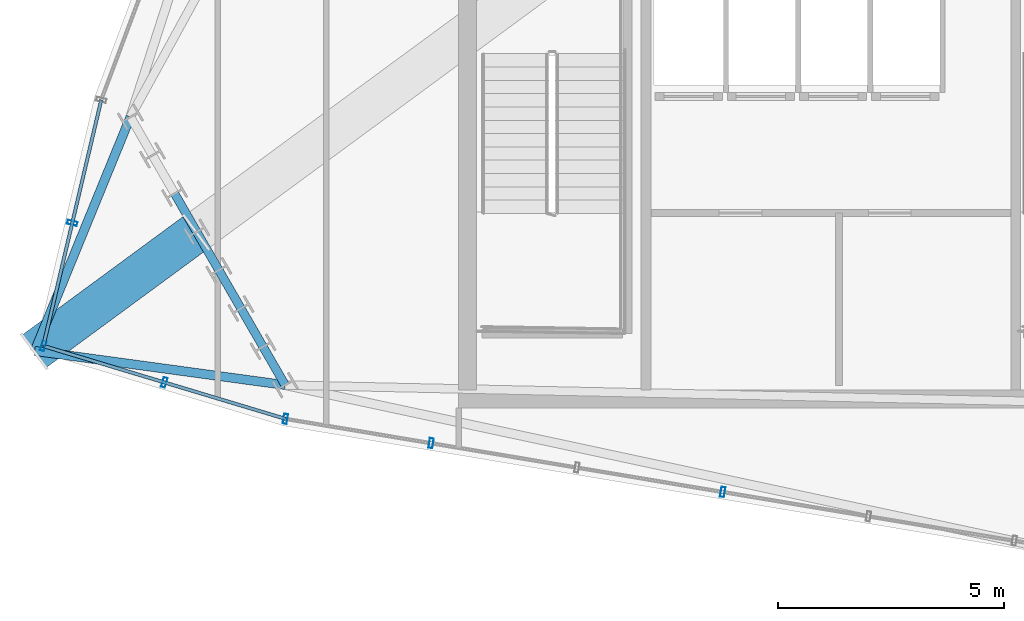
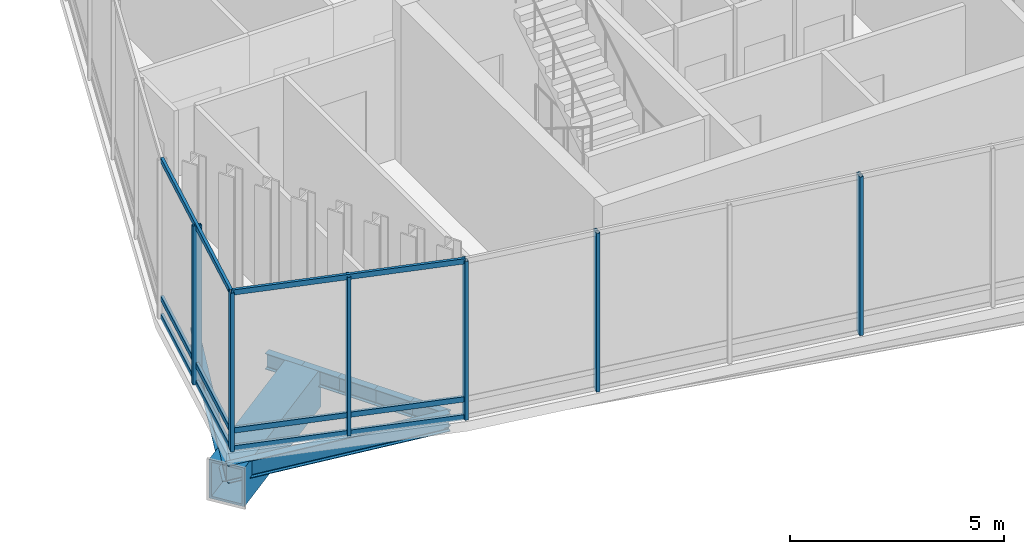
# One storey, part 2 of 29: 12 members, 8 beams, 3 elements without a shape of their own.
"""IFC4 building model written with IfcOpenShell, lengths in metres."""

from ifc_helpers import new_model, si_unit, direction, frame, origin, origin_2d, place, context, subcontext, project, spatial, hollow_rectangle, i_section, extrude, material, layer, layer_set, material_profile, profile_set, type_object, element, aggregate, save


model = new_model("IFC4")

# Units and contexts
model_context = context("Model", 3, precision=1e-05, world=origin(), true_north=direction((0.0, 1.0)))
body_context = subcontext(model_context, "Body", "Model", "MODEL_VIEW")
ifc_project = project(units=[si_unit("LENGTHUNIT", "METRE"), si_unit("AREAUNIT", "SQUARE_METRE"), si_unit("VOLUMEUNIT", "CUBIC_METRE"), si_unit("PLANEANGLEUNIT", "RADIAN"), si_unit("MASSUNIT", "GRAM", prefix="KILO")], contexts=[model_context])

# Site, building, storey
site_placement = place(None, origin())
site = spatial("IfcSite", under=ifc_project, at=site_placement, CompositionType="ELEMENT")
building_placement = place(site_placement, origin())
building = spatial("IfcBuilding", under=site, at=building_placement, Name="Ndaravel Arena Tower", CompositionType="ELEMENT")
storey_placement = place(building_placement, frame((0.0, 0.0, 208.39990234375)))
storey = spatial("IfcBuildingStorey", under=building, at=storey_placement, Name="L50", CompositionType="ELEMENT", Elevation=208.39990234375)

# Beams
ifc_material_1 = material(Name="Steel S355", Category="steel")
ifc_material_profile_1 = material_profile(ifc_material_1, i_section(OverallWidth=0.18994140625, OverallDepth=0.449951171875, WebThickness=0.009521484375, FlangeThickness=0.0146484375, FilletRadius=0.02099609375, at=origin_2d()), Name="IPE 450")
ifc_profile_set_1 = profile_set([ifc_material_profile_1], Name="Steel S355")
beam_type_1 = type_object("IfcBeamType", Name="BM-SPAN-IPE450", PredefinedType="SPANDREL", material=ifc_profile_set_1)
beam_1_placement = place(storey_placement, frame((20.15185546875, 10.14990234375, -0.5048828125), z_axis=(0.499995473844, -0.866028016946, 0.0), x_axis=(0.866028016946, 0.499995473844, 0.0)))
element("IfcBeam", 1, at=beam_1_placement, inside=storey, type_object=beam_type_1, Name="L50 Perimeter Spandrel Beam SP-22", PredefinedType="SPANDREL", context=body_context, shape_type="SweptSolid", body=[
    extrude(i_section(OverallWidth=0.18994140625, OverallDepth=0.449951171875, WebThickness=0.009521484375, FlangeThickness=0.0146484375, FilletRadius=0.02099609375, at=origin_2d()), origin(), (0.0, 0.0, 1.0), 0.98046875),
])
beam_2_placement = place(storey_placement, frame((20.64208984375, 9.30078125, -0.5048828125), z_axis=(0.500103313483, -0.8659657475, 0.0), x_axis=(0.8659657475, 0.500103313483, 0.0)))
element("IfcBeam", 2, at=beam_2_placement, inside=storey, type_object=beam_type_1, Name="L50 Perimeter Spandrel Beam SP-23", PredefinedType="SPANDREL", context=body_context, shape_type="SweptSolid", body=[
    extrude(i_section(OverallWidth=0.18994140625, OverallDepth=0.449951171875, WebThickness=0.009521484375, FlangeThickness=0.0146484375, FilletRadius=0.02099609375, at=origin_2d()), origin(), (0.0, 0.0, 1.0), 0.980224609375),
])
for number, where, z_axis, x_axis, name in (
    (3, (21.13232421875, 8.451904296875, -0.5048828125), (0.499995473844, -0.866028016946, 0.0), (0.866028016946, 0.499995473844, 0.0), "L50 Perimeter Spandrel Beam SP-24"),
    (4, (21.62255859375, 7.602783203125, -0.5048828125), (0.499995473844, -0.866028016946, 0.0), (0.866028016946, 0.499995473844, 0.0), "L50 Perimeter Spandrel Beam SP-25"),
    (5, (22.11279296875, 6.753662109375, -0.5048828125), (0.499808686542, -0.866135830489, 0.0), (0.866135830489, 0.499808686542, 0.0), "L50 Perimeter Spandrel Beam SP-26"),
):
    element("IfcBeam", number, at=place(storey_placement, frame(where, z_axis=z_axis, x_axis=x_axis)), inside=storey, type_object=beam_type_1, Name=name, PredefinedType="SPANDREL", context=body_context, shape_type="SweptSolid", body=[
        extrude(i_section(OverallWidth=0.18994140625, OverallDepth=0.449951171875, WebThickness=0.009521484375, FlangeThickness=0.0146484375, FilletRadius=0.02099609375, at=origin_2d()), origin(), (0.0, 0.0, 1.0), 0.98046875),
    ])
ifc_material_2 = material(Name="Steel S355", Category="steel")
ifc_material_profile_2 = material_profile(ifc_material_2, i_section(OverallWidth=0.199951171875, OverallDepth=0.5, WebThickness=0.01025390625, FlangeThickness=0.01611328125, FilletRadius=0.02099609375, at=origin_2d()), Name="IPE 500")
ifc_profile_set_2 = profile_set([ifc_material_profile_2], Name="Steel S355")
beam_type_2 = type_object("IfcBeamType", Name="BM-SPAN-IPE500", PredefinedType="SPANDREL", material=ifc_profile_set_2)
beam_3_placement = place(storey_placement, frame((19.17138671875, 11.84814453125, -0.52978515625), z_axis=(-0.378441133594, -0.925625360718, 0.0), x_axis=(0.925625360718, -0.378441133594, 0.0)))
element("IfcBeam", 6, at=beam_3_placement, inside=storey, type_object=beam_type_2, Name="L50 Star Facet Edge Beam SEA-1", PredefinedType="SPANDREL", context=body_context, shape_type="SweptSolid", body=[
    extrude(i_section(OverallWidth=0.199951171875, OverallDepth=0.5, WebThickness=0.01025390625, FlangeThickness=0.01611328125, FilletRadius=0.02099609375, at=origin_2d()), origin(), (0.0, 0.0, 1.0), 5.603515625),
])
beam_4_placement = place(storey_placement, frame((17.05078125, 6.661376953125, -0.52978515625), z_axis=(0.990836265135, -0.135068485199, 0.0), x_axis=(0.135068485199, 0.990836265135, 0.0)))
element("IfcBeam", 7, at=beam_4_placement, inside=storey, type_object=beam_type_2, Name="L50 Star Facet Edge Beam SEB-1", PredefinedType="SPANDREL", context=body_context, shape_type="SweptSolid", body=[
    extrude(i_section(OverallWidth=0.199951171875, OverallDepth=0.5, WebThickness=0.01025390625, FlangeThickness=0.01611328125, FilletRadius=0.02099609375, at=origin_2d()), origin(), (0.0, 0.0, 1.0), 5.603271484375),
])
ifc_material_3 = material(Name="Steel S460", Category="steel")
ifc_material_profile_3 = material_profile(ifc_material_3, hollow_rectangle(XDim=0.89990234375, YDim=1.10009765625, WallThickness=0.06494140625, at=origin_2d()), Name="BOX 1100x900x65")
ifc_profile_set_3 = profile_set([ifc_material_profile_3], Name="Steel S460")
beam_type_3 = type_object("IfcBeamType", Name="BM-STAR-BOX1100", PredefinedType="BEAM", material=ifc_profile_set_3)
beam_5_placement = place(storey_placement, frame((20.64208984375, 9.30078125, -0.829833984375), z_axis=(-0.805786322217, -0.592206385417, 0.0), x_axis=(0.592206385417, -0.805786322217, 0.0)))
element("IfcBeam", 8, at=beam_5_placement, inside=storey, type_object=beam_type_3, Name="L50 Star Cantilever Tip Girder SCG-1", PredefinedType="BEAM", context=body_context, shape_type="SweptSolid", body=[
    extrude(hollow_rectangle(XDim=0.89990234375, YDim=1.10009765625, WallThickness=0.06494140625, at=origin_2d()), origin(), (0.0, 0.0, 1.0), 4.456787109375),
])

# Curtain wall, members
ifc_material_4 = material(Name="Aluminium", Category="aluminium")
ifc_layer = layer(ifc_material_4, 0.179931640625)
ifc_layer_set = layer_set([ifc_layer], Name="Aluminium")
curtain_wall_type = type_object("IfcCurtainWallType", Name="CW-SYS-04", PredefinedType="NOTDEFINED", material=ifc_layer_set)
curtain_wall_1_placement = place(storey_placement, origin())
curtain_wall_1 = element("IfcCurtainWall", 9, at=curtain_wall_1_placement, inside=storey, type_object=curtain_wall_type, Name="L50 Faceted Crystal Curtain Wall CW-L50-E01", PredefinedType="NOTDEFINED")
ifc_material_5 = material(Name="Aluminium", Category="aluminium")
ifc_material_profile_4 = material_profile(ifc_material_5, hollow_rectangle(XDim=0.090087890625, YDim=0.219970703125, WallThickness=0.0048828125, at=origin_2d()), Name="CW MULLION 90x220x5")
ifc_profile_set_4 = profile_set([ifc_material_profile_4], Name="Aluminium")
member_type_1 = type_object("IfcMemberType", Name="MEM-CW-MUL220", PredefinedType="MULLION", material=ifc_profile_set_4)
member_1_placement = place(storey_placement, frame((17.240966796875, 6.77099609375, 0.0), z_axis=(0.0, 0.0, 1.0), x_axis=(0.957576390633, -0.288179555317, 0.0)))
member_1 = element("IfcMember", 10, at=member_1_placement, type_object=member_type_1, Name="CW-L50-E01 Mullion 00", PredefinedType="MULLION", context=body_context, shape_type="SweptSolid", body=[
    extrude(hollow_rectangle(XDim=0.090087890625, YDim=0.219970703125, WallThickness=0.0048828125, at=origin_2d()), origin(), (0.0, 0.0, 1.0), 4.52001953125),
])
member_2_placement = place(storey_placement, frame((19.924072265625, 5.963623046875, 0.0), z_axis=(0.0, 0.0, 1.0), x_axis=(0.957576390633, -0.288179555317, 0.0)))
member_2 = element("IfcMember", 11, at=member_2_placement, type_object=member_type_1, Name="CW-L50-E01 Mullion 01", PredefinedType="MULLION", context=body_context, shape_type="SweptSolid", body=[
    extrude(hollow_rectangle(XDim=0.090087890625, YDim=0.219970703125, WallThickness=0.0048828125, at=origin_2d()), origin(), (0.0, 0.0, 1.0), 4.52001953125),
])

curtain_wall_2_placement = place(storey_placement, origin())
curtain_wall_2 = element("IfcCurtainWall", 12, at=curtain_wall_2_placement, inside=storey, type_object=curtain_wall_type, Name="L50 Faceted Crystal Curtain Wall CW-L50-E02", PredefinedType="NOTDEFINED")
member_3_placement = place(storey_placement, frame((22.607421875, 5.156005859375, 0.0), z_axis=(0.0, 0.0, 1.0), x_axis=(0.98629712163, -0.164978749734, 0.0)))
member_3 = element("IfcMember", 13, at=member_3_placement, type_object=member_type_1, Name="CW-L50-E02 Mullion 00", PredefinedType="MULLION", context=body_context, shape_type="SweptSolid", body=[
    extrude(hollow_rectangle(XDim=0.090087890625, YDim=0.219970703125, WallThickness=0.0048828125, at=origin_2d()), origin(), (0.0, 0.0, 1.0), 4.52001953125),
])
member_4_placement = place(storey_placement, frame((25.83935546875, 4.615478515625, 0.0), z_axis=(0.0, 0.0, 1.0), x_axis=(0.98629712163, -0.164978749734, 0.0)))
member_4 = element("IfcMember", 14, at=member_4_placement, type_object=member_type_1, Name="CW-L50-E02 Mullion 01", PredefinedType="MULLION", context=body_context, shape_type="SweptSolid", body=[
    extrude(hollow_rectangle(XDim=0.090087890625, YDim=0.219970703125, WallThickness=0.0048828125, at=origin_2d()), origin(), (0.0, 0.0, 1.0), 4.52001953125),
])
member_5_placement = place(storey_placement, frame((32.3037109375, 3.5341796875, 0.0), z_axis=(0.0, 0.0, 1.0), x_axis=(0.98629712163, -0.164978749734, 0.0)))
member_5 = element("IfcMember", 15, at=member_5_placement, type_object=member_type_1, Name="CW-L50-E02 Mullion 03", PredefinedType="MULLION", context=body_context, shape_type="SweptSolid", body=[
    extrude(hollow_rectangle(XDim=0.090087890625, YDim=0.219970703125, WallThickness=0.0048828125, at=origin_2d()), origin(), (0.0, 0.0, 1.0), 4.52001953125),
])
aggregate(curtain_wall_2, [member_3, member_4, member_5])

# Curtain wall, member
curtain_wall_3_placement = place(storey_placement, origin())
curtain_wall_3 = element("IfcCurtainWall", 16, at=curtain_wall_3_placement, inside=storey, type_object=curtain_wall_type, Name="L50 Faceted Crystal Curtain Wall CW-L50-E12", PredefinedType="NOTDEFINED")
member_6_placement = place(storey_placement, frame((17.88330078125, 9.49853515625, 0.0), z_axis=(0.0, 0.0, 1.0), x_axis=(-0.22921737956, -0.973375258011, 0.0)))
member_6 = element("IfcMember", 17, at=member_6_placement, type_object=member_type_1, Name="CW-L50-E12 Mullion 01", PredefinedType="MULLION", context=body_context, shape_type="SweptSolid", body=[
    extrude(hollow_rectangle(XDim=0.090087890625, YDim=0.219970703125, WallThickness=0.0048828125, at=origin_2d()), origin(), (0.0, 0.0, 1.0), 4.52001953125),
])

# Member
ifc_material_6 = material(Name="Aluminium", Category="aluminium")
ifc_material_profile_5 = material_profile(ifc_material_6, hollow_rectangle(XDim=0.074951171875, YDim=0.14990234375, WallThickness=0.00390625, at=origin_2d()), Name="CW TRANSOM 75x150x4")
ifc_profile_set_5 = profile_set([ifc_material_profile_5], Name="Aluminium")
member_type_2 = type_object("IfcMemberType", Name="MEM-CW-TRN150", PredefinedType="USERDEFINED", material=ifc_profile_set_5)
member_7_placement = place(storey_placement, frame((17.240966796875, 6.77099609375, 0.0400390625), z_axis=(0.95757773369, -0.288175092505, 0.0), x_axis=(0.288175092505, 0.95757773369, 0.0)))
member_7 = element("IfcMember", 18, at=member_7_placement, type_object=member_type_2, Name="CW-L50-E01 Transom 01", ObjectType="TRANSOM", PredefinedType="USERDEFINED", context=body_context, shape_type="SweptSolid", body=[
    extrude(hollow_rectangle(XDim=0.074951171875, YDim=0.14990234375, WallThickness=0.00390625, at=origin_2d()), origin(), (0.0, 0.0, 1.0), 5.604248046875),
])

member_8_placement = place(storey_placement, frame((17.240966796875, 6.77099609375, 0.550048828125), z_axis=(0.95757773369, -0.288175092505, 0.0), x_axis=(0.288175092505, 0.95757773369, 0.0)))
member_8 = element("IfcMember", 19, at=member_8_placement, type_object=member_type_2, Name="CW-L50-E01 Transom 02", ObjectType="TRANSOM", PredefinedType="USERDEFINED", context=body_context, shape_type="SweptSolid", body=[
    extrude(hollow_rectangle(XDim=0.074951171875, YDim=0.14990234375, WallThickness=0.00390625, at=origin_2d()), origin(), (0.0, 0.0, 1.0), 5.604248046875),
])

member_9_placement = place(storey_placement, frame((17.240966796875, 6.77099609375, 4.47998046875), z_axis=(0.95757773369, -0.288175092505, 0.0), x_axis=(0.288175092505, 0.95757773369, 0.0)))
member_9 = element("IfcMember", 20, at=member_9_placement, type_object=member_type_2, Name="CW-L50-E01 Transom 03", ObjectType="TRANSOM", PredefinedType="USERDEFINED", context=body_context, shape_type="SweptSolid", body=[
    extrude(hollow_rectangle(XDim=0.074951171875, YDim=0.14990234375, WallThickness=0.00390625, at=origin_2d()), origin(), (0.0, 0.0, 1.0), 5.604248046875),
])

aggregate(curtain_wall_1, [member_1, member_2, member_7, member_8, member_9])

member_10_placement = place(storey_placement, frame((18.525390625, 12.22607421875, 0.0400390625), z_axis=(-0.229187446892, -0.973382306284, 0.0), x_axis=(0.973382306284, -0.229187446892, 0.0)))
member_10 = element("IfcMember", 21, at=member_10_placement, type_object=member_type_2, Name="CW-L50-E12 Transom 01", ObjectType="TRANSOM", PredefinedType="USERDEFINED", context=body_context, shape_type="SweptSolid", body=[
    extrude(hollow_rectangle(XDim=0.074951171875, YDim=0.14990234375, WallThickness=0.00390625, at=origin_2d()), origin(), (0.0, 0.0, 1.0), 5.604248046875),
])

member_11_placement = place(storey_placement, frame((18.525390625, 12.22607421875, 0.550048828125), z_axis=(-0.229187446892, -0.973382306284, 0.0), x_axis=(0.973382306284, -0.229187446892, 0.0)))
member_11 = element("IfcMember", 22, at=member_11_placement, type_object=member_type_2, Name="CW-L50-E12 Transom 02", ObjectType="TRANSOM", PredefinedType="USERDEFINED", context=body_context, shape_type="SweptSolid", body=[
    extrude(hollow_rectangle(XDim=0.074951171875, YDim=0.14990234375, WallThickness=0.00390625, at=origin_2d()), origin(), (0.0, 0.0, 1.0), 5.604248046875),
])

member_12_placement = place(storey_placement, frame((18.525390625, 12.22607421875, 4.47998046875), z_axis=(-0.229187446892, -0.973382306284, 0.0), x_axis=(0.973382306284, -0.229187446892, 0.0)))
member_12 = element("IfcMember", 23, at=member_12_placement, type_object=member_type_2, Name="CW-L50-E12 Transom 03", ObjectType="TRANSOM", PredefinedType="USERDEFINED", context=body_context, shape_type="SweptSolid", body=[
    extrude(hollow_rectangle(XDim=0.074951171875, YDim=0.14990234375, WallThickness=0.00390625, at=origin_2d()), origin(), (0.0, 0.0, 1.0), 5.604248046875),
])

aggregate(curtain_wall_3, [member_6, member_10, member_11, member_12])

save(model, "model.ifc")
